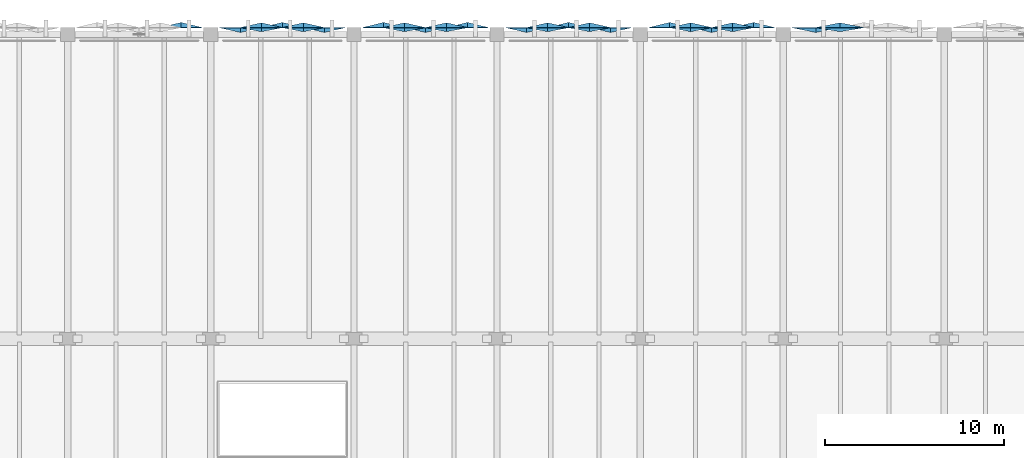
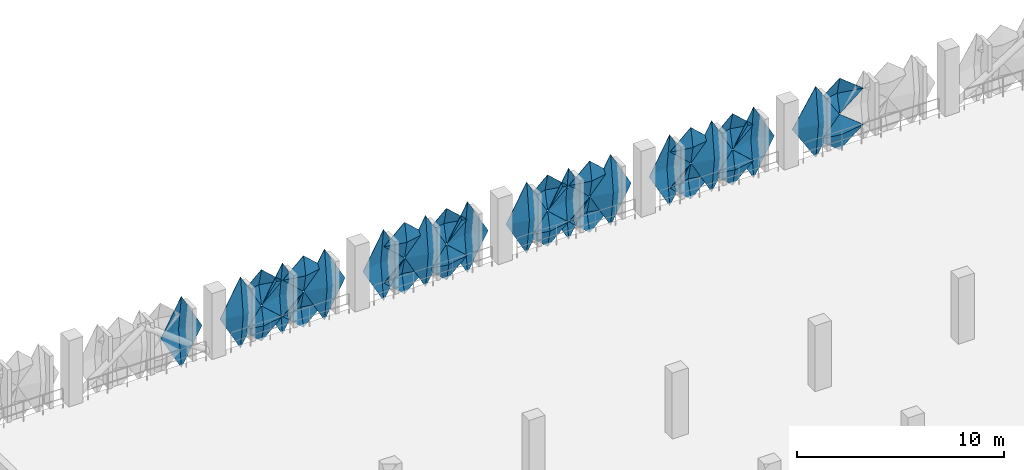
# One storey, part 102 of 123: 32 plates.
"""IFC4 building model written with IfcOpenShell, lengths in metres."""

from ifc_helpers import new_model, si_unit, derived_unit, direction, frame, origin, place, context, subcontext, project, spatial, polygons, material, layer, layer_set, type_object, element, save


model = new_model("IFC4")

# Units and contexts
model_context = context("Model", 3, precision=1e-05, world=origin(), true_north=direction((0.0, 1.0)))
body_context = subcontext(model_context, "Body", "Model", "MODEL_VIEW")
ifc_project = project(units=[si_unit("LENGTHUNIT", "METRE"), si_unit("AREAUNIT", "SQUARE_METRE"), si_unit("VOLUMEUNIT", "CUBIC_METRE"), si_unit("PLANEANGLEUNIT", "RADIAN"), si_unit("MASSUNIT", "GRAM", prefix="KILO"), si_unit("THERMODYNAMICTEMPERATUREUNIT", "KELVIN"), derived_unit("THERMALTRANSMITTANCEUNIT", [(si_unit("POWERUNIT", "WATT"), 1), (si_unit("AREAUNIT", "SQUARE_METRE"), -1), (si_unit("THERMODYNAMICTEMPERATUREUNIT", "KELVIN"), -1)])], contexts=[model_context])

# Site, building, storey
site_placement = place(None, origin())
site = spatial("IfcSite", under=ifc_project, at=site_placement, CompositionType="ELEMENT")
building_placement = place(site_placement, origin())
building = spatial("IfcBuilding", under=site, at=building_placement, Name="Haiyu Intermodal Mobility Hub", CompositionType="ELEMENT")
storey_placement = place(building_placement, frame((0.0, 0.0, 5.60009765625)))
storey = spatial("IfcBuildingStorey", under=building, at=storey_placement, Name="L01", CompositionType="ELEMENT", Elevation=5.60009765625)

# Plates
ifc_material = material(Name="Anodised aluminium 6063-T6", Category="aluminium")
ifc_layer_1 = layer(ifc_material, 0.01806640625)
ifc_layer_set_1 = layer_set([ifc_layer_1], Name="Anodised aluminium 6063-T6")
plate_type_1 = type_object("IfcPlateType", Name="PLT-FC03", PredefinedType="USERDEFINED", material=ifc_layer_set_1)
plate_1_placement = place(storey_placement, origin())
element("IfcPlate", 1, at=plate_1_placement, inside=storey, type_object=plate_type_1, Name="PLT-PYR-0036", ObjectType="FACADE CASSETTE", PredefinedType="USERDEFINED", context=body_context, shape_type="Tessellation", body=[
    polygons([(44.346923828125, 148.39990234375, -0.510009765625), (43.193115234375, 148.39990234375, 1.599853515625), (44.346923828125, 148.39990234375, 3.7099609375), (45.5, 148.39990234375, 1.599853515625), (44.346923828125, 148.679931640625, 1.599853515625), (44.346923828125, 148.3779296875, -0.510009765625), (43.193115234375, 148.3779296875, 1.599853515625), (44.346923828125, 148.3779296875, 3.7099609375), (45.5, 148.3779296875, 1.599853515625), (44.346923828125, 148.657958984375, 1.599853515625)], [[[1, 2, 5]], [[2, 3, 5]], [[3, 4, 5]], [[4, 1, 5]], [[7, 6, 10]], [[8, 7, 10]], [[9, 8, 10]], [[6, 9, 10]], [[1, 6, 7, 2]], [[2, 7, 8, 3]], [[3, 8, 9, 4]], [[4, 9, 6, 1]]], closed=True),
])
plate_2_placement = place(storey_placement, origin())
element("IfcPlate", 2, at=plate_2_placement, inside=storey, type_object=plate_type_1, Name="PLT-PYR-0072", ObjectType="FACADE CASSETTE", PredefinedType="USERDEFINED", context=body_context, shape_type="Tessellation", body=[
    polygons([(51.173095703125, 148.39990234375, -0.52001953125), (50.02001953125, 148.39990234375, 0.52978515625), (51.173095703125, 148.39990234375, 1.579833984375), (52.326904296875, 148.39990234375, 0.52978515625), (51.173095703125, 148.659912109375, 0.52978515625), (51.173095703125, 148.3779296875, -0.52001953125), (50.02001953125, 148.3779296875, 0.52978515625), (51.173095703125, 148.3779296875, 1.579833984375), (52.326904296875, 148.3779296875, 0.52978515625), (51.173095703125, 148.637939453125, 0.52978515625)], [[[1, 2, 5]], [[2, 3, 5]], [[3, 4, 5]], [[4, 1, 5]], [[7, 6, 10]], [[8, 7, 10]], [[9, 8, 10]], [[6, 9, 10]], [[1, 6, 7, 2]], [[2, 7, 8, 3]], [[3, 8, 9, 4]], [[4, 9, 6, 1]]], closed=True),
])
plate_3_placement = place(storey_placement, origin())
element("IfcPlate", 3, at=plate_3_placement, inside=storey, type_object=plate_type_1, Name="PLT-PYR-0106", ObjectType="FACADE CASSETTE", PredefinedType="USERDEFINED", context=body_context, shape_type="Tessellation", body=[
    polygons([(60.346923828125, 148.39990234375, -0.510009765625), (59.193115234375, 148.39990234375, 1.599853515625), (60.346923828125, 148.39990234375, 3.7099609375), (61.5, 148.39990234375, 1.599853515625), (60.346923828125, 148.679931640625, 1.599853515625), (60.346923828125, 148.3779296875, -0.510009765625), (59.193115234375, 148.3779296875, 1.599853515625), (60.346923828125, 148.3779296875, 3.7099609375), (61.5, 148.3779296875, 1.599853515625), (60.346923828125, 148.657958984375, 1.599853515625)], [[[1, 2, 5]], [[2, 3, 5]], [[3, 4, 5]], [[4, 1, 5]], [[7, 6, 10]], [[8, 7, 10]], [[9, 8, 10]], [[6, 9, 10]], [[1, 6, 7, 2]], [[2, 7, 8, 3]], [[3, 8, 9, 4]], [[4, 9, 6, 1]]], closed=True),
])
plate_4_placement = place(storey_placement, origin())
element("IfcPlate", 4, at=plate_4_placement, inside=storey, type_object=plate_type_1, Name="PLT-PYR-0110", ObjectType="FACADE CASSETTE", PredefinedType="USERDEFINED", context=body_context, shape_type="Tessellation", body=[
    polygons([(56.826904296875, 148.39990234375, -0.52001953125), (55.673095703125, 148.39990234375, 0.52978515625), (56.826904296875, 148.39990234375, 1.579833984375), (57.97998046875, 148.39990234375, 0.52978515625), (56.826904296875, 148.659912109375, 0.52978515625), (56.826904296875, 148.3779296875, -0.52001953125), (55.673095703125, 148.3779296875, 0.52978515625), (56.826904296875, 148.3779296875, 1.579833984375), (57.97998046875, 148.3779296875, 0.52978515625), (56.826904296875, 148.637939453125, 0.52978515625)], [[[1, 2, 5]], [[2, 3, 5]], [[3, 4, 5]], [[4, 1, 5]], [[7, 6, 10]], [[8, 7, 10]], [[9, 8, 10]], [[6, 9, 10]], [[1, 6, 7, 2]], [[2, 7, 8, 3]], [[3, 8, 9, 4]], [[4, 9, 6, 1]]], closed=True),
])
plate_5_placement = place(storey_placement, origin())
element("IfcPlate", 5, at=plate_5_placement, inside=storey, type_object=plate_type_1, Name="PLT-PYR-0142", ObjectType="FACADE CASSETTE", PredefinedType="USERDEFINED", context=body_context, shape_type="Tessellation", body=[
    polygons([(67.173095703125, 148.39990234375, -0.52001953125), (66.02001953125, 148.39990234375, 0.52978515625), (67.173095703125, 148.39990234375, 1.579833984375), (68.326904296875, 148.39990234375, 0.52978515625), (67.173095703125, 148.659912109375, 0.52978515625), (67.173095703125, 148.3779296875, -0.52001953125), (66.02001953125, 148.3779296875, 0.52978515625), (67.173095703125, 148.3779296875, 1.579833984375), (68.326904296875, 148.3779296875, 0.52978515625), (67.173095703125, 148.637939453125, 0.52978515625)], [[[1, 2, 5]], [[2, 3, 5]], [[3, 4, 5]], [[4, 1, 5]], [[7, 6, 10]], [[8, 7, 10]], [[9, 8, 10]], [[6, 9, 10]], [[1, 6, 7, 2]], [[2, 7, 8, 3]], [[3, 8, 9, 4]], [[4, 9, 6, 1]]], closed=True),
])
plate_6_placement = place(storey_placement, origin())
element("IfcPlate", 6, at=plate_6_placement, inside=storey, type_object=plate_type_1, Name="PLT-PYR-0176", ObjectType="FACADE CASSETTE", PredefinedType="USERDEFINED", context=body_context, shape_type="Tessellation", body=[
    polygons([(76.346923828125, 148.39990234375, -0.510009765625), (75.193115234375, 148.39990234375, 1.599853515625), (76.346923828125, 148.39990234375, 3.7099609375), (77.5, 148.39990234375, 1.599853515625), (76.346923828125, 148.679931640625, 1.599853515625), (76.346923828125, 148.3779296875, -0.510009765625), (75.193115234375, 148.3779296875, 1.599853515625), (76.346923828125, 148.3779296875, 3.7099609375), (77.5, 148.3779296875, 1.599853515625), (76.346923828125, 148.657958984375, 1.599853515625)], [[[1, 2, 5]], [[2, 3, 5]], [[3, 4, 5]], [[4, 1, 5]], [[7, 6, 10]], [[8, 7, 10]], [[9, 8, 10]], [[6, 9, 10]], [[1, 6, 7, 2]], [[2, 7, 8, 3]], [[3, 8, 9, 4]], [[4, 9, 6, 1]]], closed=True),
])
plate_7_placement = place(storey_placement, origin())
element("IfcPlate", 7, at=plate_7_placement, inside=storey, type_object=plate_type_1, Name="PLT-PYR-0180", ObjectType="FACADE CASSETTE", PredefinedType="USERDEFINED", context=body_context, shape_type="Tessellation", body=[
    polygons([(72.826904296875, 148.39990234375, -0.52001953125), (71.673095703125, 148.39990234375, 0.52978515625), (72.826904296875, 148.39990234375, 1.579833984375), (73.97998046875, 148.39990234375, 0.52978515625), (72.826904296875, 148.659912109375, 0.52978515625), (72.826904296875, 148.3779296875, -0.52001953125), (71.673095703125, 148.3779296875, 0.52978515625), (72.826904296875, 148.3779296875, 1.579833984375), (73.97998046875, 148.3779296875, 0.52978515625), (72.826904296875, 148.637939453125, 0.52978515625)], [[[1, 2, 5]], [[2, 3, 5]], [[3, 4, 5]], [[4, 1, 5]], [[7, 6, 10]], [[8, 7, 10]], [[9, 8, 10]], [[6, 9, 10]], [[1, 6, 7, 2]], [[2, 7, 8, 3]], [[3, 8, 9, 4]], [[4, 9, 6, 1]]], closed=True),
])
ifc_layer_2 = layer(ifc_material, 0.02001953125)
ifc_layer_set_2 = layer_set([ifc_layer_2], Name="Anodised aluminium 6063-T6")
plate_type_2 = type_object("IfcPlateType", Name="PLT-FC04", PredefinedType="USERDEFINED", material=ifc_layer_set_2)
plate_8_placement = place(storey_placement, origin())
element("IfcPlate", 8, at=plate_8_placement, inside=storey, type_object=plate_type_2, Name="PLT-PYR-0071", ObjectType="FACADE CASSETTE", PredefinedType="USERDEFINED", context=body_context, shape_type="Tessellation", body=[
    polygons([(52.346923828125, 148.39990234375, -0.510009765625), (51.193115234375, 148.39990234375, 1.599853515625), (52.346923828125, 148.39990234375, 3.7099609375), (53.5, 148.39990234375, 1.599853515625), (52.346923828125, 148.139892578125, 1.599853515625), (52.346923828125, 148.3779296875, -0.510009765625), (51.193115234375, 148.3779296875, 1.599853515625), (52.346923828125, 148.3779296875, 3.7099609375), (53.5, 148.3779296875, 1.599853515625), (52.346923828125, 148.117919921875, 1.599853515625)], [[[1, 2, 5]], [[2, 3, 5]], [[3, 4, 5]], [[4, 1, 5]], [[7, 6, 10]], [[8, 7, 10]], [[9, 8, 10]], [[6, 9, 10]], [[1, 6, 7, 2]], [[2, 7, 8, 3]], [[3, 8, 9, 4]], [[4, 9, 6, 1]]], closed=True),
])
plate_9_placement = place(storey_placement, origin())
element("IfcPlate", 9, at=plate_9_placement, inside=storey, type_object=plate_type_2, Name="PLT-PYR-0075", ObjectType="FACADE CASSETTE", PredefinedType="USERDEFINED", context=body_context, shape_type="Tessellation", body=[
    polygons([(48.826904296875, 148.39990234375, -0.52001953125), (47.673095703125, 148.39990234375, 0.52978515625), (48.826904296875, 148.39990234375, 1.579833984375), (49.97998046875, 148.39990234375, 0.52978515625), (48.826904296875, 148.179931640625, 0.52978515625), (48.826904296875, 148.3779296875, -0.52001953125), (47.673095703125, 148.3779296875, 0.52978515625), (48.826904296875, 148.3779296875, 1.579833984375), (49.97998046875, 148.3779296875, 0.52978515625), (48.826904296875, 148.157958984375, 0.52978515625)], [[[1, 2, 5]], [[2, 3, 5]], [[3, 4, 5]], [[4, 1, 5]], [[7, 6, 10]], [[8, 7, 10]], [[9, 8, 10]], [[6, 9, 10]], [[1, 6, 7, 2]], [[2, 7, 8, 3]], [[3, 8, 9, 4]], [[4, 9, 6, 1]]], closed=True),
])
plate_10_placement = place(storey_placement, origin())
element("IfcPlate", 10, at=plate_10_placement, inside=storey, type_object=plate_type_2, Name="PLT-PYR-0107", ObjectType="FACADE CASSETTE", PredefinedType="USERDEFINED", context=body_context, shape_type="Tessellation", body=[
    polygons([(59.173095703125, 148.39990234375, -0.52001953125), (58.02001953125, 148.39990234375, 0.52978515625), (59.173095703125, 148.39990234375, 1.579833984375), (60.326904296875, 148.39990234375, 0.52978515625), (59.173095703125, 148.179931640625, 0.52978515625), (59.173095703125, 148.3779296875, -0.52001953125), (58.02001953125, 148.3779296875, 0.52978515625), (59.173095703125, 148.3779296875, 1.579833984375), (60.326904296875, 148.3779296875, 0.52978515625), (59.173095703125, 148.157958984375, 0.52978515625)], [[[1, 2, 5]], [[2, 3, 5]], [[3, 4, 5]], [[4, 1, 5]], [[7, 6, 10]], [[8, 7, 10]], [[9, 8, 10]], [[6, 9, 10]], [[1, 6, 7, 2]], [[2, 7, 8, 3]], [[3, 8, 9, 4]], [[4, 9, 6, 1]]], closed=True),
])
plate_11_placement = place(storey_placement, origin())
element("IfcPlate", 11, at=plate_11_placement, inside=storey, type_object=plate_type_2, Name="PLT-PYR-0141", ObjectType="FACADE CASSETTE", PredefinedType="USERDEFINED", context=body_context, shape_type="Tessellation", body=[
    polygons([(68.346923828125, 148.39990234375, -0.510009765625), (67.193115234375, 148.39990234375, 1.599853515625), (68.346923828125, 148.39990234375, 3.7099609375), (69.5, 148.39990234375, 1.599853515625), (68.346923828125, 148.139892578125, 1.599853515625), (68.346923828125, 148.3779296875, -0.510009765625), (67.193115234375, 148.3779296875, 1.599853515625), (68.346923828125, 148.3779296875, 3.7099609375), (69.5, 148.3779296875, 1.599853515625), (68.346923828125, 148.117919921875, 1.599853515625)], [[[1, 2, 5]], [[2, 3, 5]], [[3, 4, 5]], [[4, 1, 5]], [[7, 6, 10]], [[8, 7, 10]], [[9, 8, 10]], [[6, 9, 10]], [[1, 6, 7, 2]], [[2, 7, 8, 3]], [[3, 8, 9, 4]], [[4, 9, 6, 1]]], closed=True),
])
plate_12_placement = place(storey_placement, origin())
element("IfcPlate", 12, at=plate_12_placement, inside=storey, type_object=plate_type_2, Name="PLT-PYR-0145", ObjectType="FACADE CASSETTE", PredefinedType="USERDEFINED", context=body_context, shape_type="Tessellation", body=[
    polygons([(64.826904296875, 148.39990234375, -0.52001953125), (63.673095703125, 148.39990234375, 0.52978515625), (64.826904296875, 148.39990234375, 1.579833984375), (65.97998046875, 148.39990234375, 0.52978515625), (64.826904296875, 148.179931640625, 0.52978515625), (64.826904296875, 148.3779296875, -0.52001953125), (63.673095703125, 148.3779296875, 0.52978515625), (64.826904296875, 148.3779296875, 1.579833984375), (65.97998046875, 148.3779296875, 0.52978515625), (64.826904296875, 148.157958984375, 0.52978515625)], [[[1, 2, 5]], [[2, 3, 5]], [[3, 4, 5]], [[4, 1, 5]], [[7, 6, 10]], [[8, 7, 10]], [[9, 8, 10]], [[6, 9, 10]], [[1, 6, 7, 2]], [[2, 7, 8, 3]], [[3, 8, 9, 4]], [[4, 9, 6, 1]]], closed=True),
])
plate_13_placement = place(storey_placement, origin())
element("IfcPlate", 13, at=plate_13_placement, inside=storey, type_object=plate_type_2, Name="PLT-PYR-0177", ObjectType="FACADE CASSETTE", PredefinedType="USERDEFINED", context=body_context, shape_type="Tessellation", body=[
    polygons([(75.173095703125, 148.39990234375, -0.52001953125), (74.02001953125, 148.39990234375, 0.52978515625), (75.173095703125, 148.39990234375, 1.579833984375), (76.326904296875, 148.39990234375, 0.52978515625), (75.173095703125, 148.179931640625, 0.52978515625), (75.173095703125, 148.3779296875, -0.52001953125), (74.02001953125, 148.3779296875, 0.52978515625), (75.173095703125, 148.3779296875, 1.579833984375), (76.326904296875, 148.3779296875, 0.52978515625), (75.173095703125, 148.157958984375, 0.52978515625)], [[[1, 2, 5]], [[2, 3, 5]], [[3, 4, 5]], [[4, 1, 5]], [[7, 6, 10]], [[8, 7, 10]], [[9, 8, 10]], [[6, 9, 10]], [[1, 6, 7, 2]], [[2, 7, 8, 3]], [[3, 8, 9, 4]], [[4, 9, 6, 1]]], closed=True),
])
plate_14_placement = place(storey_placement, origin())
element("IfcPlate", 14, at=plate_14_placement, inside=storey, type_object=plate_type_2, Name="PLT-PYR-0215", ObjectType="FACADE CASSETTE", PredefinedType="USERDEFINED", context=body_context, shape_type="Tessellation", body=[
    polygons([(81.159912109375, 148.39990234375, -0.52001953125), (79.840087890625, 148.39990234375, 0.52978515625), (81.159912109375, 148.39990234375, 1.579833984375), (82.47998046875, 148.39990234375, 0.52978515625), (81.159912109375, 148.179931640625, 0.52978515625), (81.159912109375, 148.3779296875, -0.52001953125), (79.840087890625, 148.3779296875, 0.52978515625), (81.159912109375, 148.3779296875, 1.579833984375), (82.47998046875, 148.3779296875, 0.52978515625), (81.159912109375, 148.157958984375, 0.52978515625)], [[[1, 2, 5]], [[2, 3, 5]], [[3, 4, 5]], [[4, 1, 5]], [[7, 6, 10]], [[8, 7, 10]], [[9, 8, 10]], [[6, 9, 10]], [[1, 6, 7, 2]], [[2, 7, 8, 3]], [[3, 8, 9, 4]], [[4, 9, 6, 1]]], closed=True),
])
ifc_layer_3 = layer(ifc_material, 0.01806640625)
ifc_layer_set_3 = layer_set([ifc_layer_3], Name="Anodised aluminium 6063-T6")
plate_type_3 = type_object("IfcPlateType", Name="PLT-FC05", PredefinedType="USERDEFINED", material=ifc_layer_set_3)
plate_15_placement = place(storey_placement, origin())
element("IfcPlate", 15, at=plate_15_placement, inside=storey, type_object=plate_type_3, Name="PLT-PYR-0074", ObjectType="FACADE CASSETTE", PredefinedType="USERDEFINED", context=body_context, shape_type="Tessellation", body=[
    polygons([(50.0, 148.39990234375, -0.510009765625), (48.846923828125, 148.39990234375, 1.599853515625), (50.0, 148.39990234375, 3.7099609375), (51.153076171875, 148.39990234375, 1.599853515625), (50.0, 148.679931640625, 1.599853515625), (50.0, 148.3779296875, -0.510009765625), (48.846923828125, 148.3779296875, 1.599853515625), (50.0, 148.3779296875, 3.7099609375), (51.153076171875, 148.3779296875, 1.599853515625), (50.0, 148.657958984375, 1.599853515625)], [[[1, 2, 5]], [[2, 3, 5]], [[3, 4, 5]], [[4, 1, 5]], [[7, 6, 10]], [[8, 7, 10]], [[9, 8, 10]], [[6, 9, 10]], [[1, 6, 7, 2]], [[2, 7, 8, 3]], [[3, 8, 9, 4]], [[4, 9, 6, 1]]], closed=True),
])
plate_16_placement = place(storey_placement, origin())
element("IfcPlate", 16, at=plate_16_placement, inside=storey, type_object=plate_type_3, Name="PLT-PYR-0076", ObjectType="FACADE CASSETTE", PredefinedType="USERDEFINED", context=body_context, shape_type="Tessellation", body=[
    polygons([(48.826904296875, 148.39990234375, 1.619873046875), (47.673095703125, 148.39990234375, 2.669921875), (48.826904296875, 148.39990234375, 3.719970703125), (49.97998046875, 148.39990234375, 2.669921875), (48.826904296875, 148.659912109375, 2.669921875), (48.826904296875, 148.3779296875, 1.619873046875), (47.673095703125, 148.3779296875, 2.669921875), (48.826904296875, 148.3779296875, 3.719970703125), (49.97998046875, 148.3779296875, 2.669921875), (48.826904296875, 148.637939453125, 2.669921875)], [[[1, 2, 5]], [[2, 3, 5]], [[3, 4, 5]], [[4, 1, 5]], [[7, 6, 10]], [[8, 7, 10]], [[9, 8, 10]], [[6, 9, 10]], [[1, 6, 7, 2]], [[2, 7, 8, 3]], [[3, 8, 9, 4]], [[4, 9, 6, 1]]], closed=True),
])
plate_17_placement = place(storey_placement, origin())
element("IfcPlate", 17, at=plate_17_placement, inside=storey, type_object=plate_type_3, Name="PLT-PYR-0108", ObjectType="FACADE CASSETTE", PredefinedType="USERDEFINED", context=body_context, shape_type="Tessellation", body=[
    polygons([(59.173095703125, 148.39990234375, 1.619873046875), (58.02001953125, 148.39990234375, 2.669921875), (59.173095703125, 148.39990234375, 3.719970703125), (60.326904296875, 148.39990234375, 2.669921875), (59.173095703125, 148.659912109375, 2.669921875), (59.173095703125, 148.3779296875, 1.619873046875), (58.02001953125, 148.3779296875, 2.669921875), (59.173095703125, 148.3779296875, 3.719970703125), (60.326904296875, 148.3779296875, 2.669921875), (59.173095703125, 148.637939453125, 2.669921875)], [[[1, 2, 5]], [[2, 3, 5]], [[3, 4, 5]], [[4, 1, 5]], [[7, 6, 10]], [[8, 7, 10]], [[9, 8, 10]], [[6, 9, 10]], [[1, 6, 7, 2]], [[2, 7, 8, 3]], [[3, 8, 9, 4]], [[4, 9, 6, 1]]], closed=True),
])
plate_18_placement = place(storey_placement, origin())
element("IfcPlate", 18, at=plate_18_placement, inside=storey, type_object=plate_type_3, Name="PLT-PYR-0144", ObjectType="FACADE CASSETTE", PredefinedType="USERDEFINED", context=body_context, shape_type="Tessellation", body=[
    polygons([(66.0, 148.39990234375, -0.510009765625), (64.846923828125, 148.39990234375, 1.599853515625), (66.0, 148.39990234375, 3.7099609375), (67.153076171875, 148.39990234375, 1.599853515625), (66.0, 148.679931640625, 1.599853515625), (66.0, 148.3779296875, -0.510009765625), (64.846923828125, 148.3779296875, 1.599853515625), (66.0, 148.3779296875, 3.7099609375), (67.153076171875, 148.3779296875, 1.599853515625), (66.0, 148.657958984375, 1.599853515625)], [[[1, 2, 5]], [[2, 3, 5]], [[3, 4, 5]], [[4, 1, 5]], [[7, 6, 10]], [[8, 7, 10]], [[9, 8, 10]], [[6, 9, 10]], [[1, 6, 7, 2]], [[2, 7, 8, 3]], [[3, 8, 9, 4]], [[4, 9, 6, 1]]], closed=True),
])
plate_19_placement = place(storey_placement, origin())
element("IfcPlate", 19, at=plate_19_placement, inside=storey, type_object=plate_type_3, Name="PLT-PYR-0146", ObjectType="FACADE CASSETTE", PredefinedType="USERDEFINED", context=body_context, shape_type="Tessellation", body=[
    polygons([(64.826904296875, 148.39990234375, 1.619873046875), (63.673095703125, 148.39990234375, 2.669921875), (64.826904296875, 148.39990234375, 3.719970703125), (65.97998046875, 148.39990234375, 2.669921875), (64.826904296875, 148.659912109375, 2.669921875), (64.826904296875, 148.3779296875, 1.619873046875), (63.673095703125, 148.3779296875, 2.669921875), (64.826904296875, 148.3779296875, 3.719970703125), (65.97998046875, 148.3779296875, 2.669921875), (64.826904296875, 148.637939453125, 2.669921875)], [[[1, 2, 5]], [[2, 3, 5]], [[3, 4, 5]], [[4, 1, 5]], [[7, 6, 10]], [[8, 7, 10]], [[9, 8, 10]], [[6, 9, 10]], [[1, 6, 7, 2]], [[2, 7, 8, 3]], [[3, 8, 9, 4]], [[4, 9, 6, 1]]], closed=True),
])
plate_20_placement = place(storey_placement, origin())
element("IfcPlate", 20, at=plate_20_placement, inside=storey, type_object=plate_type_3, Name="PLT-PYR-0178", ObjectType="FACADE CASSETTE", PredefinedType="USERDEFINED", context=body_context, shape_type="Tessellation", body=[
    polygons([(75.173095703125, 148.39990234375, 1.619873046875), (74.02001953125, 148.39990234375, 2.669921875), (75.173095703125, 148.39990234375, 3.719970703125), (76.326904296875, 148.39990234375, 2.669921875), (75.173095703125, 148.659912109375, 2.669921875), (75.173095703125, 148.3779296875, 1.619873046875), (74.02001953125, 148.3779296875, 2.669921875), (75.173095703125, 148.3779296875, 3.719970703125), (76.326904296875, 148.3779296875, 2.669921875), (75.173095703125, 148.637939453125, 2.669921875)], [[[1, 2, 5]], [[2, 3, 5]], [[3, 4, 5]], [[4, 1, 5]], [[7, 6, 10]], [[8, 7, 10]], [[9, 8, 10]], [[6, 9, 10]], [[1, 6, 7, 2]], [[2, 7, 8, 3]], [[3, 8, 9, 4]], [[4, 9, 6, 1]]], closed=True),
])
plate_21_placement = place(storey_placement, origin())
element("IfcPlate", 21, at=plate_21_placement, inside=storey, type_object=plate_type_3, Name="PLT-PYR-0216", ObjectType="FACADE CASSETTE", PredefinedType="USERDEFINED", context=body_context, shape_type="Tessellation", body=[
    polygons([(81.159912109375, 148.39990234375, 1.619873046875), (79.840087890625, 148.39990234375, 2.669921875), (81.159912109375, 148.39990234375, 3.719970703125), (82.47998046875, 148.39990234375, 2.669921875), (81.159912109375, 148.659912109375, 2.669921875), (81.159912109375, 148.3779296875, 1.619873046875), (79.840087890625, 148.3779296875, 2.669921875), (81.159912109375, 148.3779296875, 3.719970703125), (82.47998046875, 148.3779296875, 2.669921875), (81.159912109375, 148.637939453125, 2.669921875)], [[[1, 2, 5]], [[2, 3, 5]], [[3, 4, 5]], [[4, 1, 5]], [[7, 6, 10]], [[8, 7, 10]], [[9, 8, 10]], [[6, 9, 10]], [[1, 6, 7, 2]], [[2, 7, 8, 3]], [[3, 8, 9, 4]], [[4, 9, 6, 1]]], closed=True),
])
ifc_layer_4 = layer(ifc_material, 0.02001953125)
ifc_layer_set_4 = layer_set([ifc_layer_4], Name="Anodised aluminium 6063-T6")
plate_type_4 = type_object("IfcPlateType", Name="PLT-FC06", PredefinedType="USERDEFINED", material=ifc_layer_set_4)
plate_22_placement = place(storey_placement, origin())
element("IfcPlate", 22, at=plate_22_placement, inside=storey, type_object=plate_type_4, Name="PLT-PYR-0073", ObjectType="FACADE CASSETTE", PredefinedType="USERDEFINED", context=body_context, shape_type="Tessellation", body=[
    polygons([(51.173095703125, 148.39990234375, 1.619873046875), (50.02001953125, 148.39990234375, 2.669921875), (51.173095703125, 148.39990234375, 3.719970703125), (52.326904296875, 148.39990234375, 2.669921875), (51.173095703125, 148.179931640625, 2.669921875), (51.173095703125, 148.3779296875, 1.619873046875), (50.02001953125, 148.3779296875, 2.669921875), (51.173095703125, 148.3779296875, 3.719970703125), (52.326904296875, 148.3779296875, 2.669921875), (51.173095703125, 148.157958984375, 2.669921875)], [[[1, 2, 5]], [[2, 3, 5]], [[3, 4, 5]], [[4, 1, 5]], [[7, 6, 10]], [[8, 7, 10]], [[9, 8, 10]], [[6, 9, 10]], [[1, 6, 7, 2]], [[2, 7, 8, 3]], [[3, 8, 9, 4]], [[4, 9, 6, 1]]], closed=True),
])
plate_23_placement = place(storey_placement, origin())
element("IfcPlate", 23, at=plate_23_placement, inside=storey, type_object=plate_type_4, Name="PLT-PYR-0109", ObjectType="FACADE CASSETTE", PredefinedType="USERDEFINED", context=body_context, shape_type="Tessellation", body=[
    polygons([(58.0, 148.39990234375, -0.510009765625), (56.846923828125, 148.39990234375, 1.599853515625), (58.0, 148.39990234375, 3.7099609375), (59.153076171875, 148.39990234375, 1.599853515625), (58.0, 148.139892578125, 1.599853515625), (58.0, 148.3779296875, -0.510009765625), (56.846923828125, 148.3779296875, 1.599853515625), (58.0, 148.3779296875, 3.7099609375), (59.153076171875, 148.3779296875, 1.599853515625), (58.0, 148.117919921875, 1.599853515625)], [[[1, 2, 5]], [[2, 3, 5]], [[3, 4, 5]], [[4, 1, 5]], [[7, 6, 10]], [[8, 7, 10]], [[9, 8, 10]], [[6, 9, 10]], [[1, 6, 7, 2]], [[2, 7, 8, 3]], [[3, 8, 9, 4]], [[4, 9, 6, 1]]], closed=True),
])
plate_24_placement = place(storey_placement, origin())
element("IfcPlate", 24, at=plate_24_placement, inside=storey, type_object=plate_type_4, Name="PLT-PYR-0111", ObjectType="FACADE CASSETTE", PredefinedType="USERDEFINED", context=body_context, shape_type="Tessellation", body=[
    polygons([(56.826904296875, 148.39990234375, 1.619873046875), (55.673095703125, 148.39990234375, 2.669921875), (56.826904296875, 148.39990234375, 3.719970703125), (57.97998046875, 148.39990234375, 2.669921875), (56.826904296875, 148.179931640625, 2.669921875), (56.826904296875, 148.3779296875, 1.619873046875), (55.673095703125, 148.3779296875, 2.669921875), (56.826904296875, 148.3779296875, 3.719970703125), (57.97998046875, 148.3779296875, 2.669921875), (56.826904296875, 148.157958984375, 2.669921875)], [[[1, 2, 5]], [[2, 3, 5]], [[3, 4, 5]], [[4, 1, 5]], [[7, 6, 10]], [[8, 7, 10]], [[9, 8, 10]], [[6, 9, 10]], [[1, 6, 7, 2]], [[2, 7, 8, 3]], [[3, 8, 9, 4]], [[4, 9, 6, 1]]], closed=True),
])
plate_25_placement = place(storey_placement, origin())
element("IfcPlate", 25, at=plate_25_placement, inside=storey, type_object=plate_type_4, Name="PLT-PYR-0143", ObjectType="FACADE CASSETTE", PredefinedType="USERDEFINED", context=body_context, shape_type="Tessellation", body=[
    polygons([(67.173095703125, 148.39990234375, 1.619873046875), (66.02001953125, 148.39990234375, 2.669921875), (67.173095703125, 148.39990234375, 3.719970703125), (68.326904296875, 148.39990234375, 2.669921875), (67.173095703125, 148.179931640625, 2.669921875), (67.173095703125, 148.3779296875, 1.619873046875), (66.02001953125, 148.3779296875, 2.669921875), (67.173095703125, 148.3779296875, 3.719970703125), (68.326904296875, 148.3779296875, 2.669921875), (67.173095703125, 148.157958984375, 2.669921875)], [[[1, 2, 5]], [[2, 3, 5]], [[3, 4, 5]], [[4, 1, 5]], [[7, 6, 10]], [[8, 7, 10]], [[9, 8, 10]], [[6, 9, 10]], [[1, 6, 7, 2]], [[2, 7, 8, 3]], [[3, 8, 9, 4]], [[4, 9, 6, 1]]], closed=True),
])
plate_26_placement = place(storey_placement, origin())
element("IfcPlate", 26, at=plate_26_placement, inside=storey, type_object=plate_type_4, Name="PLT-PYR-0179", ObjectType="FACADE CASSETTE", PredefinedType="USERDEFINED", context=body_context, shape_type="Tessellation", body=[
    polygons([(74.0, 148.39990234375, -0.510009765625), (72.846923828125, 148.39990234375, 1.599853515625), (74.0, 148.39990234375, 3.7099609375), (75.153076171875, 148.39990234375, 1.599853515625), (74.0, 148.139892578125, 1.599853515625), (74.0, 148.3779296875, -0.510009765625), (72.846923828125, 148.3779296875, 1.599853515625), (74.0, 148.3779296875, 3.7099609375), (75.153076171875, 148.3779296875, 1.599853515625), (74.0, 148.117919921875, 1.599853515625)], [[[1, 2, 5]], [[2, 3, 5]], [[3, 4, 5]], [[4, 1, 5]], [[7, 6, 10]], [[8, 7, 10]], [[9, 8, 10]], [[6, 9, 10]], [[1, 6, 7, 2]], [[2, 7, 8, 3]], [[3, 8, 9, 4]], [[4, 9, 6, 1]]], closed=True),
])
plate_27_placement = place(storey_placement, origin())
element("IfcPlate", 27, at=plate_27_placement, inside=storey, type_object=plate_type_4, Name="PLT-PYR-0181", ObjectType="FACADE CASSETTE", PredefinedType="USERDEFINED", context=body_context, shape_type="Tessellation", body=[
    polygons([(72.826904296875, 148.39990234375, 1.619873046875), (71.673095703125, 148.39990234375, 2.669921875), (72.826904296875, 148.39990234375, 3.719970703125), (73.97998046875, 148.39990234375, 2.669921875), (72.826904296875, 148.179931640625, 2.669921875), (72.826904296875, 148.3779296875, 1.619873046875), (71.673095703125, 148.3779296875, 2.669921875), (72.826904296875, 148.3779296875, 3.719970703125), (73.97998046875, 148.3779296875, 2.669921875), (72.826904296875, 148.157958984375, 2.669921875)], [[[1, 2, 5]], [[2, 3, 5]], [[3, 4, 5]], [[4, 1, 5]], [[7, 6, 10]], [[8, 7, 10]], [[9, 8, 10]], [[6, 9, 10]], [[1, 6, 7, 2]], [[2, 7, 8, 3]], [[3, 8, 9, 4]], [[4, 9, 6, 1]]], closed=True),
])
ifc_layer_5 = layer(ifc_material, 0.02197265625)
ifc_layer_set_5 = layer_set([ifc_layer_5], Name="Anodised aluminium 6063-T6")
plate_type_5 = type_object("IfcPlateType", Name="PLT-FC07", PredefinedType="USERDEFINED", material=ifc_layer_set_5)
plate_28_placement = place(storey_placement, origin())
element("IfcPlate", 28, at=plate_28_placement, inside=storey, type_object=plate_type_5, Name="PLT-PYR-0112", ObjectType="FACADE CASSETTE", PredefinedType="USERDEFINED", context=body_context, shape_type="Tessellation", body=[
    polygons([(55.653076171875, 148.39990234375, -0.510009765625), (54.5, 148.39990234375, 1.599853515625), (55.653076171875, 148.39990234375, 3.7099609375), (56.806884765625, 148.39990234375, 1.599853515625), (55.653076171875, 148.679931640625, 1.599853515625), (55.653076171875, 148.3779296875, -0.510009765625), (54.5, 148.3779296875, 1.599853515625), (55.653076171875, 148.3779296875, 3.7099609375), (56.806884765625, 148.3779296875, 1.599853515625), (55.653076171875, 148.657958984375, 1.599853515625)], [[[1, 2, 5]], [[2, 3, 5]], [[3, 4, 5]], [[4, 1, 5]], [[7, 6, 10]], [[8, 7, 10]], [[9, 8, 10]], [[6, 9, 10]], [[1, 6, 7, 2]], [[2, 7, 8, 3]], [[3, 8, 9, 4]], [[4, 9, 6, 1]]], closed=True),
])
plate_29_placement = place(storey_placement, origin())
element("IfcPlate", 29, at=plate_29_placement, inside=storey, type_object=plate_type_5, Name="PLT-PYR-0182", ObjectType="FACADE CASSETTE", PredefinedType="USERDEFINED", context=body_context, shape_type="Tessellation", body=[
    polygons([(71.653076171875, 148.39990234375, -0.510009765625), (70.5, 148.39990234375, 1.599853515625), (71.653076171875, 148.39990234375, 3.7099609375), (72.806884765625, 148.39990234375, 1.599853515625), (71.653076171875, 148.679931640625, 1.599853515625), (71.653076171875, 148.3779296875, -0.510009765625), (70.5, 148.3779296875, 1.599853515625), (71.653076171875, 148.3779296875, 3.7099609375), (72.806884765625, 148.3779296875, 1.599853515625), (71.653076171875, 148.657958984375, 1.599853515625)], [[[1, 2, 5]], [[2, 3, 5]], [[3, 4, 5]], [[4, 1, 5]], [[7, 6, 10]], [[8, 7, 10]], [[9, 8, 10]], [[6, 9, 10]], [[1, 6, 7, 2]], [[2, 7, 8, 3]], [[3, 8, 9, 4]], [[4, 9, 6, 1]]], closed=True),
])
ifc_layer_6 = layer(ifc_material, 0.02392578125)
ifc_layer_set_6 = layer_set([ifc_layer_6], Name="Anodised aluminium 6063-T6")
plate_type_6 = type_object("IfcPlateType", Name="PLT-FC08", PredefinedType="USERDEFINED", material=ifc_layer_set_6)
plate_30_placement = place(storey_placement, origin())
element("IfcPlate", 30, at=plate_30_placement, inside=storey, type_object=plate_type_6, Name="PLT-PYR-0077", ObjectType="FACADE CASSETTE", PredefinedType="USERDEFINED", context=body_context, shape_type="Tessellation", body=[
    polygons([(47.653076171875, 148.39990234375, -0.510009765625), (46.5, 148.39990234375, 1.599853515625), (47.653076171875, 148.39990234375, 3.7099609375), (48.806884765625, 148.39990234375, 1.599853515625), (47.653076171875, 148.139892578125, 1.599853515625), (47.653076171875, 148.3779296875, -0.510009765625), (46.5, 148.3779296875, 1.599853515625), (47.653076171875, 148.3779296875, 3.7099609375), (48.806884765625, 148.3779296875, 1.599853515625), (47.653076171875, 148.117919921875, 1.599853515625)], [[[1, 2, 5]], [[2, 3, 5]], [[3, 4, 5]], [[4, 1, 5]], [[7, 6, 10]], [[8, 7, 10]], [[9, 8, 10]], [[6, 9, 10]], [[1, 6, 7, 2]], [[2, 7, 8, 3]], [[3, 8, 9, 4]], [[4, 9, 6, 1]]], closed=True),
])
plate_31_placement = place(storey_placement, origin())
element("IfcPlate", 31, at=plate_31_placement, inside=storey, type_object=plate_type_6, Name="PLT-PYR-0147", ObjectType="FACADE CASSETTE", PredefinedType="USERDEFINED", context=body_context, shape_type="Tessellation", body=[
    polygons([(63.653076171875, 148.39990234375, -0.510009765625), (62.5, 148.39990234375, 1.599853515625), (63.653076171875, 148.39990234375, 3.7099609375), (64.806884765625, 148.39990234375, 1.599853515625), (63.653076171875, 148.139892578125, 1.599853515625), (63.653076171875, 148.3779296875, -0.510009765625), (62.5, 148.3779296875, 1.599853515625), (63.653076171875, 148.3779296875, 3.7099609375), (64.806884765625, 148.3779296875, 1.599853515625), (63.653076171875, 148.117919921875, 1.599853515625)], [[[1, 2, 5]], [[2, 3, 5]], [[3, 4, 5]], [[4, 1, 5]], [[7, 6, 10]], [[8, 7, 10]], [[9, 8, 10]], [[6, 9, 10]], [[1, 6, 7, 2]], [[2, 7, 8, 3]], [[3, 8, 9, 4]], [[4, 9, 6, 1]]], closed=True),
])
plate_32_placement = place(storey_placement, origin())
element("IfcPlate", 32, at=plate_32_placement, inside=storey, type_object=plate_type_6, Name="PLT-PYR-0217", ObjectType="FACADE CASSETTE", PredefinedType="USERDEFINED", context=body_context, shape_type="Tessellation", body=[
    polygons([(79.820068359375, 148.39990234375, -0.510009765625), (78.5, 148.39990234375, 1.599853515625), (79.820068359375, 148.39990234375, 3.7099609375), (81.139892578125, 148.39990234375, 1.599853515625), (79.820068359375, 148.139892578125, 1.599853515625), (79.820068359375, 148.3779296875, -0.510009765625), (78.5, 148.3779296875, 1.599853515625), (79.820068359375, 148.3779296875, 3.7099609375), (81.139892578125, 148.3779296875, 1.599853515625), (79.820068359375, 148.117919921875, 1.599853515625)], [[[1, 2, 5]], [[2, 3, 5]], [[3, 4, 5]], [[4, 1, 5]], [[7, 6, 10]], [[8, 7, 10]], [[9, 8, 10]], [[6, 9, 10]], [[1, 6, 7, 2]], [[2, 7, 8, 3]], [[3, 8, 9, 4]], [[4, 9, 6, 1]]], closed=True),
])

save(model, "model.ifc")
